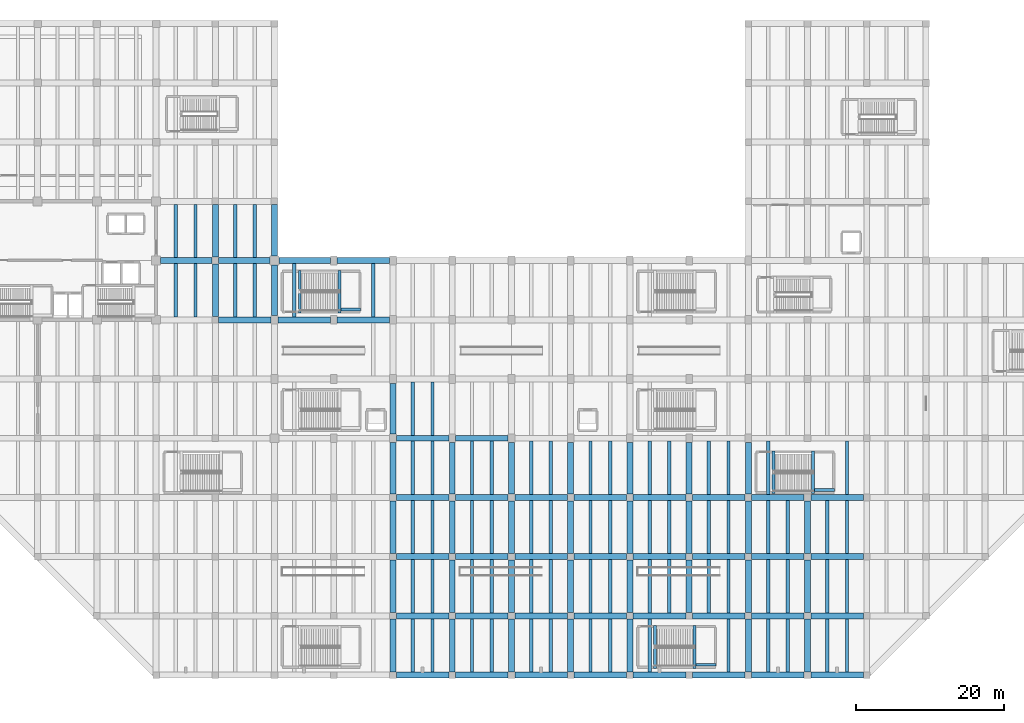
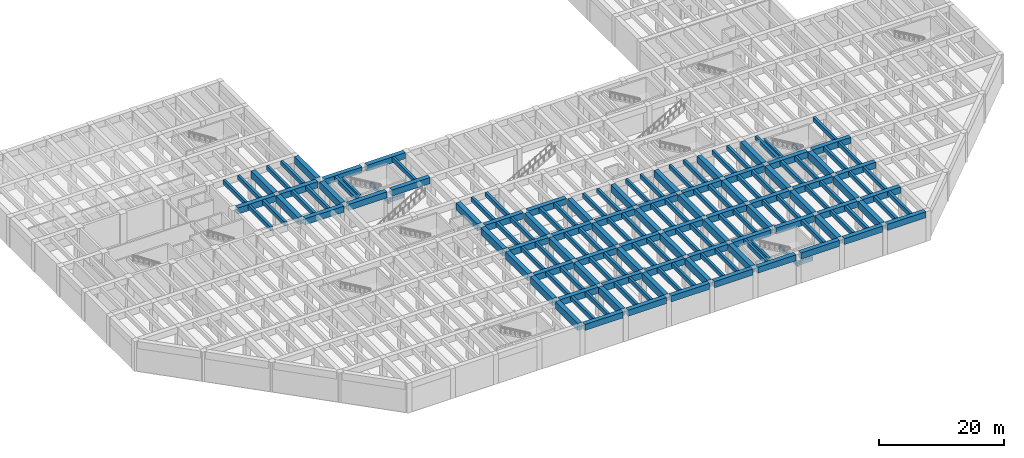
# One storey, part 3 of 24: 157 beams.
"""IFC4 building model written with IfcOpenShell, lengths in metres."""

from ifc_helpers import new_model, si_unit, direction, frame, origin, origin_2d, place, context, subcontext, project, spatial, rectangle, extrude, material, material_profile, profile_set, type_object, element, save


model = new_model("IFC4")

# Units and contexts
model_context = context("Model", 3, precision=1e-05, world=origin(), true_north=direction((0.0, 1.0)))
body_context = subcontext(model_context, "Body", "Model", "MODEL_VIEW")
ifc_project = project(units=[si_unit("LENGTHUNIT", "METRE"), si_unit("AREAUNIT", "SQUARE_METRE"), si_unit("VOLUMEUNIT", "CUBIC_METRE"), si_unit("PLANEANGLEUNIT", "RADIAN"), si_unit("MASSUNIT", "GRAM", prefix="KILO")], contexts=[model_context])

# Site, building, storey
site_placement = place(None, origin())
site = spatial("IfcSite", under=ifc_project, at=site_placement, CompositionType="ELEMENT")
building_placement = place(site_placement, origin())
building = spatial("IfcBuilding", under=site, at=building_placement, Name="Varnela Railside Interchange", CompositionType="ELEMENT")
storey_placement = place(building_placement, frame((0.0, 0.0, -6.300048828125)))
storey = spatial("IfcBuildingStorey", under=building, at=storey_placement, Name="B1", CompositionType="ELEMENT", Elevation=-6.300048828125)

# Beams
ifc_material_1 = material(Name="Concrete C50", Category="concrete")
ifc_material_profile_1 = material_profile(ifc_material_1, rectangle(XDim=0.800048828125, YDim=1.199951171875, at=origin_2d()), Name="RC 800x1200")
ifc_profile_set_1 = profile_set([ifc_material_profile_1], Name="Concrete C50")
beam_type_1 = type_object("IfcBeamType", Name="Bus Deck Heavy Girder B-09", PredefinedType="BEAM", material=ifc_profile_set_1)
for number, where, z_axis, x_axis, name in (
    (1, (68.449951171875, 6.0, 5.25), (1.0, 0.0, 0.0), (0.0, 1.0, 0.0), "Bus Deck Heavy Girder B-09 (B1) (BM-0667)"),
    (2, (76.449951171875, 6.0, 5.25), (1.0, 0.0, 0.0), (0.0, 1.0, 0.0), "Bus Deck Heavy Girder B-09 (B1) (BM-0668)"),
    (3, (84.449951171875, 6.0, 5.25), (1.0, 0.0, 0.0), (0.0, 1.0, 0.0), "Bus Deck Heavy Girder B-09 (B1) (BM-0669)"),
    (4, (92.449951171875, 6.0, 5.25), (1.0, 0.0, 0.0), (0.0, 1.0, 0.0), "Bus Deck Heavy Girder B-09 (B1) (BM-0670)"),
    (5, (100.449951171875, 6.0, 5.25), (1.0, 0.0, 0.0), (0.0, 1.0, 0.0), "Bus Deck Heavy Girder B-09 (B1) (BM-0659)"),
    (6, (108.449951171875, 6.0, 5.25), (1.0, 0.0, 0.0), (0.0, 1.0, 0.0), "Bus Deck Heavy Girder B-09 (B1) (BM-0660)"),
    (7, (116.449951171875, 6.0, 5.25), (1.0, 0.0, 0.0), (0.0, 1.0, 0.0), "Bus Deck Heavy Girder B-09 (B1) (BM-0661)"),
    (8, (124.449951171875, 6.0, 5.25), (1.0, 0.0, 0.0), (0.0, 1.0, 0.0), "Bus Deck Heavy Girder B-09 (B1) (BM-0662)"),
    (9, (68.449951171875, 14.0, 5.25), (1.0, 0.0, 0.0), (0.0, 1.0, 0.0), "Bus Deck Heavy Girder B-09 (B1) (BM-0681)"),
    (10, (76.449951171875, 14.0, 5.25), (1.0, 0.0, 0.0), (0.0, 1.0, 0.0), "Bus Deck Heavy Girder B-09 (B1) (BM-0682)"),
    (11, (84.449951171875, 14.0, 5.25), (1.0, 0.0, 0.0), (0.0, 1.0, 0.0), "Bus Deck Heavy Girder B-09 (B1) (BM-0683)"),
    (12, (92.449951171875, 14.0, 5.25), (1.0, 0.0, 0.0), (0.0, 1.0, 0.0), "Bus Deck Heavy Girder B-09 (B1) (BM-0684)"),
    (13, (100.449951171875, 14.0, 5.25), (1.0, 0.0, 0.0), (0.0, 1.0, 0.0), "Bus Deck Heavy Girder B-09 (B1) (BM-0671)"),
    (14, (108.449951171875, 14.0, 5.25), (1.0, 0.0, 0.0), (0.0, 1.0, 0.0), "Bus Deck Heavy Girder B-09 (B1) (BM-0672)"),
    (15, (116.449951171875, 14.0, 5.25), (1.0, 0.0, 0.0), (0.0, 1.0, 0.0), "Bus Deck Heavy Girder B-09 (B1) (BM-0673)"),
    (16, (124.449951171875, 14.0, 5.25), (1.0, 0.0, 0.0), (0.0, 1.0, 0.0), "Bus Deck Heavy Girder B-09 (B1) (BM-0674)"),
    (17, (68.449951171875, 22.0, 5.25), (1.0, 0.0, 0.0), (0.0, 1.0, 0.0), "Bus Deck Heavy Girder B-09 (B1) (BM-0697)"),
    (18, (76.449951171875, 22.0, 5.25), (1.0, 0.0, 0.0), (0.0, 1.0, 0.0), "Bus Deck Heavy Girder B-09 (B1) (BM-0698)"),
    (19, (84.449951171875, 22.0, 5.25), (1.0, 0.0, 0.0), (0.0, 1.0, 0.0), "Bus Deck Heavy Girder B-09 (B1) (BM-0699)"),
    (20, (92.449951171875, 22.0, 5.25), (1.0, 0.0, 0.0), (0.0, 1.0, 0.0), "Bus Deck Heavy Girder B-09 (B1) (BM-0700)"),
    (21, (100.449951171875, 22.0, 5.25), (1.0, 0.0, 0.0), (0.0, 1.0, 0.0), "Bus Deck Heavy Girder B-09 (B1) (BM-0685)"),
    (22, (108.449951171875, 22.0, 5.25), (1.0, 0.0, 0.0), (0.0, 1.0, 0.0), "Bus Deck Heavy Girder B-09 (B1) (BM-0686)"),
    (23, (116.449951171875, 22.0, 5.25), (1.0, 0.0, 0.0), (0.0, 1.0, 0.0), "Bus Deck Heavy Girder B-09 (B1) (BM-0687)"),
    (24, (124.449951171875, 22.0, 5.25), (1.0, 0.0, 0.0), (0.0, 1.0, 0.0), "Bus Deck Heavy Girder B-09 (B1) (BM-0688)"),
    (25, (68.449951171875, 30.0, 5.25), (1.0, 0.0, 0.0), (0.0, 1.0, 0.0), "Bus Deck Heavy Girder B-09 (B1) (BM-0715)"),
    (26, (76.449951171875, 30.0, 5.25), (1.0, 0.0, 0.0), (0.0, 1.0, 0.0), "Bus Deck Heavy Girder B-09 (B1) (BM-0716)"),
    (27, (84.449951171875, 30.0, 5.25), (1.0, 0.0, 0.0), (0.0, 1.0, 0.0), "Bus Deck Heavy Girder B-09 (B1) (BM-0717)"),
    (28, (92.449951171875, 30.0, 5.25), (1.0, 0.0, 0.0), (0.0, 1.0, 0.0), "Bus Deck Heavy Girder B-09 (B1) (BM-0718)"),
    (29, (100.449951171875, 30.0, 5.25), (1.0, 0.0, 0.0), (0.0, 1.0, 0.0), "Bus Deck Heavy Girder B-09 (B1) (BM-0701)"),
    (30, (108.449951171875, 30.0, 5.25), (1.0, 0.0, 0.0), (0.0, 1.0, 0.0), "Bus Deck Heavy Girder B-09 (B1) (BM-0702)"),
    (31, (116.449951171875, 30.0, 5.25), (1.0, 0.0, 0.0), (0.0, 1.0, 0.0), "Bus Deck Heavy Girder B-09 (B1) (BM-0703)"),
    (32, (124.449951171875, 30.0, 5.25), (1.0, 0.0, 0.0), (0.0, 1.0, 0.0), "Bus Deck Heavy Girder B-09 (B1) (BM-0704)"),
    (33, (68.449951171875, 38.0, 5.25), (1.0, 0.0, 0.0), (0.0, 1.0, 0.0), "Bus Deck Heavy Girder B-09 (B1) (BM-0735)"),
    (34, (76.449951171875, 38.0, 5.25), (1.0, 0.0, 0.0), (0.0, 1.0, 0.0), "Bus Deck Heavy Girder B-09 (B1) (BM-0736)"),
    (35, (44.449951171875, 54.0, 5.25), (1.0, 0.0, 0.0), (0.0, 1.0, 0.0), "Bus Deck Heavy Girder B-09 (B1) (BM-0768)"),
    (36, (52.449951171875, 54.0, 5.25), (1.0, 0.0, 0.0), (0.0, 1.0, 0.0), "Bus Deck Heavy Girder B-09 (B1) (BM-0770)"),
    (37, (60.449951171875, 54.0, 5.25), (1.0, 0.0, 0.0), (0.0, 1.0, 0.0), "Bus Deck Heavy Girder B-09 (B1) (BM-0771)"),
):
    element("IfcBeam", number, at=place(storey_placement, frame(where, z_axis=z_axis, x_axis=x_axis)), inside=storey, type_object=beam_type_1, Name=name, PredefinedType="BEAM", context=body_context, shape_type="SweptSolid", body=[
        extrude(rectangle(XDim=0.800048828125, YDim=1.199951171875, at=origin_2d()), origin(), (0.0, 0.0, 1.0), 7.10009765625),
    ])
for number, where, z_axis, x_axis, name in (
    (38, (36.60009765625, 62.0, 5.25), (1.0, 0.0, 0.0), (0.0, 1.0, 0.0), "Bus Deck Heavy Girder B-09 (B1) (BM-0784)"),
    (39, (44.449951171875, 62.0, 5.25), (1.0, 0.0, 0.0), (0.0, 1.0, 0.0), "Bus Deck Heavy Girder B-09 (B1) (BM-0785)"),
    (40, (52.60009765625, 62.0, 5.25), (1.0, 0.0, 0.0), (0.0, 1.0, 0.0), "Bus Deck Heavy Girder B-09 (B1) (BM-0787)"),
):
    element("IfcBeam", number, at=place(storey_placement, frame(where, z_axis=z_axis, x_axis=x_axis)), inside=storey, type_object=beam_type_1, Name=name, PredefinedType="BEAM", context=body_context, shape_type="SweptSolid", body=[
        extrude(rectangle(XDim=0.800048828125, YDim=1.199951171875, at=origin_2d()), origin(), (0.0, 0.0, 1.0), 6.949951171875),
    ])
beam_1_placement = place(storey_placement, frame((60.449951171875, 62.0, 5.25), z_axis=(1.0, 0.0, 0.0), x_axis=(0.0, 1.0, 0.0)))
element("IfcBeam", 41, at=beam_1_placement, inside=storey, type_object=beam_type_1, Name="Bus Deck Heavy Girder B-09 (B1) (BM-0788)", PredefinedType="BEAM", context=body_context, shape_type="SweptSolid", body=[
    extrude(rectangle(XDim=0.800048828125, YDim=1.199951171875, at=origin_2d()), origin(), (0.0, 0.0, 1.0), 7.10009765625),
])
ifc_material_profile_2 = material_profile(ifc_material_1, rectangle(XDim=0.800048828125, YDim=1.39990234375, at=origin_2d()), Name="RC 800x1400")
ifc_profile_set_2 = profile_set([ifc_material_profile_2], Name="Concrete C50")
beam_type_2 = type_object("IfcBeamType", Name="Bus Deck Portal Girder B-10", PredefinedType="BEAM", material=ifc_profile_set_2)
for number, where, z_axis, x_axis, name in (
    (42, (44.0, 54.449951171875, 5.150146484375), (0.0, 1.0, 0.0), (-1.0, 0.0, 0.0), "Bus Deck Portal Girder B-10 (B1) (BM-0949)"),
    (43, (44.0, 62.449951171875, 5.150146484375), (0.0, 1.0, 0.0), (-1.0, 0.0, 0.0), "Bus Deck Portal Girder B-10 (B1) (BM-0950)"),
):
    element("IfcBeam", number, at=place(storey_placement, frame(where, z_axis=z_axis, x_axis=x_axis)), inside=storey, type_object=beam_type_2, Name=name, PredefinedType="BEAM", context=body_context, shape_type="SweptSolid", body=[
        extrude(rectangle(XDim=0.800048828125, YDim=1.39990234375, at=origin_2d()), origin(), (0.0, 0.0, 1.0), 7.10009765625),
    ])
beam_2_placement = place(storey_placement, frame((52.0, 54.60009765625, 5.150146484375), z_axis=(0.0, 1.0, 0.0), x_axis=(-1.0, 0.0, 0.0)))
element("IfcBeam", 44, at=beam_2_placement, inside=storey, type_object=beam_type_2, Name="Bus Deck Portal Girder B-10 (B1) (BM-0959)", PredefinedType="BEAM", context=body_context, shape_type="SweptSolid", body=[
    extrude(rectangle(XDim=0.800048828125, YDim=1.39990234375, at=origin_2d()), origin(), (0.0, 0.0, 1.0), 6.7998046875),
])
beam_3_placement = place(storey_placement, frame((52.0, 62.60009765625, 5.150146484375), z_axis=(0.0, 1.0, 0.0), x_axis=(-1.0, 0.0, 0.0)))
element("IfcBeam", 45, at=beam_3_placement, inside=storey, type_object=beam_type_2, Name="Bus Deck Portal Girder B-10 (B1) (BM-0960)", PredefinedType="BEAM", context=body_context, shape_type="SweptSolid", body=[
    extrude(rectangle(XDim=0.800048828125, YDim=1.39990234375, at=origin_2d()), origin(), (0.0, 0.0, 1.0), 6.949951171875),
])
for number, where, z_axis, x_axis, name in (
    (46, (68.0, 6.449951171875, 5.150146484375), (0.0, 1.0, 0.0), (-1.0, 0.0, 0.0), "Bus Deck Portal Girder B-10 (B1) (BM-0974)"),
    (47, (68.0, 14.449951171875, 5.150146484375), (0.0, 1.0, 0.0), (-1.0, 0.0, 0.0), "Bus Deck Portal Girder B-10 (B1) (BM-0968)"),
    (48, (68.0, 22.449951171875, 5.150146484375), (0.0, 1.0, 0.0), (-1.0, 0.0, 0.0), "Bus Deck Portal Girder B-10 (B1) (BM-0969)"),
):
    element("IfcBeam", number, at=place(storey_placement, frame(where, z_axis=z_axis, x_axis=x_axis)), inside=storey, type_object=beam_type_2, Name=name, PredefinedType="BEAM", context=body_context, shape_type="SweptSolid", body=[
        extrude(rectangle(XDim=0.800048828125, YDim=1.39990234375, at=origin_2d()), origin(), (0.0, 0.0, 1.0), 7.10009765625),
    ])
beam_4_placement = place(storey_placement, frame((68.0, 30.449951171875, 5.150146484375), z_axis=(0.0, 1.0, 0.0), x_axis=(-1.0, 0.0, 0.0)))
element("IfcBeam", 49, at=beam_4_placement, inside=storey, type_object=beam_type_2, Name="Bus Deck Portal Girder B-10 (B1) (BM-0970)", PredefinedType="BEAM", context=body_context, shape_type="SweptSolid", body=[
    extrude(rectangle(XDim=0.800048828125, YDim=1.39990234375, at=origin_2d()), origin(), (0.0, 0.0, 1.0), 6.949951171875),
])
beam_5_placement = place(storey_placement, frame((68.0, 38.60009765625, 5.150146484375), z_axis=(0.0, 1.0, 0.0), x_axis=(-1.0, 0.0, 0.0)))
element("IfcBeam", 50, at=beam_5_placement, inside=storey, type_object=beam_type_2, Name="Bus Deck Portal Girder B-10 (B1) (BM-0971)", PredefinedType="BEAM", context=body_context, shape_type="SweptSolid", body=[
    extrude(rectangle(XDim=0.800048828125, YDim=1.39990234375, at=origin_2d()), origin(), (0.0, 0.0, 1.0), 6.7998046875),
])
for number, where, z_axis, x_axis, name in (
    (51, (76.0, 6.449951171875, 5.150146484375), (0.0, 1.0, 0.0), (-1.0, 0.0, 0.0), "Bus Deck Portal Girder B-10 (B1) (BM-0832)"),
    (52, (76.0, 14.449951171875, 5.150146484375), (0.0, 1.0, 0.0), (-1.0, 0.0, 0.0), "Bus Deck Portal Girder B-10 (B1) (BM-0826)"),
    (53, (76.0, 22.449951171875, 5.150146484375), (0.0, 1.0, 0.0), (-1.0, 0.0, 0.0), "Bus Deck Portal Girder B-10 (B1) (BM-0827)"),
):
    element("IfcBeam", number, at=place(storey_placement, frame(where, z_axis=z_axis, x_axis=x_axis)), inside=storey, type_object=beam_type_2, Name=name, PredefinedType="BEAM", context=body_context, shape_type="SweptSolid", body=[
        extrude(rectangle(XDim=0.800048828125, YDim=1.39990234375, at=origin_2d()), origin(), (0.0, 0.0, 1.0), 7.10009765625),
    ])
beam_6_placement = place(storey_placement, frame((76.0, 30.449951171875, 5.150146484375), z_axis=(0.0, 1.0, 0.0), x_axis=(-1.0, 0.0, 0.0)))
element("IfcBeam", 54, at=beam_6_placement, inside=storey, type_object=beam_type_2, Name="Bus Deck Portal Girder B-10 (B1) (BM-0828)", PredefinedType="BEAM", context=body_context, shape_type="SweptSolid", body=[
    extrude(rectangle(XDim=0.800048828125, YDim=1.39990234375, at=origin_2d()), origin(), (0.0, 0.0, 1.0), 6.949951171875),
])
for number, where, z_axis, x_axis, name in (
    (55, (84.0, 6.449951171875, 5.150146484375), (0.0, 1.0, 0.0), (-1.0, 0.0, 0.0), "Bus Deck Portal Girder B-10 (B1) (BM-0838)"),
    (56, (84.0, 14.449951171875, 5.150146484375), (0.0, 1.0, 0.0), (-1.0, 0.0, 0.0), "Bus Deck Portal Girder B-10 (B1) (BM-0833)"),
    (57, (84.0, 22.449951171875, 5.150146484375), (0.0, 1.0, 0.0), (-1.0, 0.0, 0.0), "Bus Deck Portal Girder B-10 (B1) (BM-0834)"),
):
    element("IfcBeam", number, at=place(storey_placement, frame(where, z_axis=z_axis, x_axis=x_axis)), inside=storey, type_object=beam_type_2, Name=name, PredefinedType="BEAM", context=body_context, shape_type="SweptSolid", body=[
        extrude(rectangle(XDim=0.800048828125, YDim=1.39990234375, at=origin_2d()), origin(), (0.0, 0.0, 1.0), 7.10009765625),
    ])
beam_7_placement = place(storey_placement, frame((84.0, 30.449951171875, 5.150146484375), z_axis=(0.0, 1.0, 0.0), x_axis=(-1.0, 0.0, 0.0)))
element("IfcBeam", 58, at=beam_7_placement, inside=storey, type_object=beam_type_2, Name="Bus Deck Portal Girder B-10 (B1) (BM-0835)", PredefinedType="BEAM", context=body_context, shape_type="SweptSolid", body=[
    extrude(rectangle(XDim=0.800048828125, YDim=1.39990234375, at=origin_2d()), origin(), (0.0, 0.0, 1.0), 6.949951171875),
])
for number, where, z_axis, x_axis, name in (
    (59, (92.0, 6.449951171875, 5.150146484375), (0.0, 1.0, 0.0), (-1.0, 0.0, 0.0), "Bus Deck Portal Girder B-10 (B1) (BM-0845)"),
    (60, (92.0, 14.449951171875, 5.150146484375), (0.0, 1.0, 0.0), (-1.0, 0.0, 0.0), "Bus Deck Portal Girder B-10 (B1) (BM-0839)"),
    (61, (92.0, 22.449951171875, 5.150146484375), (0.0, 1.0, 0.0), (-1.0, 0.0, 0.0), "Bus Deck Portal Girder B-10 (B1) (BM-0840)"),
):
    element("IfcBeam", number, at=place(storey_placement, frame(where, z_axis=z_axis, x_axis=x_axis)), inside=storey, type_object=beam_type_2, Name=name, PredefinedType="BEAM", context=body_context, shape_type="SweptSolid", body=[
        extrude(rectangle(XDim=0.800048828125, YDim=1.39990234375, at=origin_2d()), origin(), (0.0, 0.0, 1.0), 7.10009765625),
    ])
beam_8_placement = place(storey_placement, frame((92.0, 30.449951171875, 5.150146484375), z_axis=(0.0, 1.0, 0.0), x_axis=(-1.0, 0.0, 0.0)))
element("IfcBeam", 62, at=beam_8_placement, inside=storey, type_object=beam_type_2, Name="Bus Deck Portal Girder B-10 (B1) (BM-0841)", PredefinedType="BEAM", context=body_context, shape_type="SweptSolid", body=[
    extrude(rectangle(XDim=0.800048828125, YDim=1.39990234375, at=origin_2d()), origin(), (0.0, 0.0, 1.0), 6.949951171875),
])
for number, where, z_axis, x_axis, name in (
    (63, (100.0, 6.449951171875, 5.150146484375), (0.0, 1.0, 0.0), (-1.0, 0.0, 0.0), "Bus Deck Portal Girder B-10 (B1) (BM-0852)"),
    (64, (100.0, 14.449951171875, 5.150146484375), (0.0, 1.0, 0.0), (-1.0, 0.0, 0.0), "Bus Deck Portal Girder B-10 (B1) (BM-0846)"),
    (65, (100.0, 22.449951171875, 5.150146484375), (0.0, 1.0, 0.0), (-1.0, 0.0, 0.0), "Bus Deck Portal Girder B-10 (B1) (BM-0847)"),
):
    element("IfcBeam", number, at=place(storey_placement, frame(where, z_axis=z_axis, x_axis=x_axis)), inside=storey, type_object=beam_type_2, Name=name, PredefinedType="BEAM", context=body_context, shape_type="SweptSolid", body=[
        extrude(rectangle(XDim=0.800048828125, YDim=1.39990234375, at=origin_2d()), origin(), (0.0, 0.0, 1.0), 7.10009765625),
    ])
beam_9_placement = place(storey_placement, frame((100.0, 30.449951171875, 5.150146484375), z_axis=(0.0, 1.0, 0.0), x_axis=(-1.0, 0.0, 0.0)))
element("IfcBeam", 66, at=beam_9_placement, inside=storey, type_object=beam_type_2, Name="Bus Deck Portal Girder B-10 (B1) (BM-0848)", PredefinedType="BEAM", context=body_context, shape_type="SweptSolid", body=[
    extrude(rectangle(XDim=0.800048828125, YDim=1.39990234375, at=origin_2d()), origin(), (0.0, 0.0, 1.0), 6.949951171875),
])
for number, where, z_axis, x_axis, name in (
    (67, (108.0, 14.449951171875, 5.150146484375), (0.0, 1.0, 0.0), (-1.0, 0.0, 0.0), "Bus Deck Portal Girder B-10 (B1) (BM-0853)"),
    (68, (108.0, 22.449951171875, 5.150146484375), (0.0, 1.0, 0.0), (-1.0, 0.0, 0.0), "Bus Deck Portal Girder B-10 (B1) (BM-0854)"),
):
    element("IfcBeam", number, at=place(storey_placement, frame(where, z_axis=z_axis, x_axis=x_axis)), inside=storey, type_object=beam_type_2, Name=name, PredefinedType="BEAM", context=body_context, shape_type="SweptSolid", body=[
        extrude(rectangle(XDim=0.800048828125, YDim=1.39990234375, at=origin_2d()), origin(), (0.0, 0.0, 1.0), 7.10009765625),
    ])
beam_10_placement = place(storey_placement, frame((108.0, 30.449951171875, 5.150146484375), z_axis=(0.0, 1.0, 0.0), x_axis=(-1.0, 0.0, 0.0)))
element("IfcBeam", 69, at=beam_10_placement, inside=storey, type_object=beam_type_2, Name="Bus Deck Portal Girder B-10 (B1) (BM-0855)", PredefinedType="BEAM", context=body_context, shape_type="SweptSolid", body=[
    extrude(rectangle(XDim=0.800048828125, YDim=1.39990234375, at=origin_2d()), origin(), (0.0, 0.0, 1.0), 6.949951171875),
])
for number, where, z_axis, x_axis, name in (
    (70, (116.0, 6.449951171875, 5.150146484375), (0.0, 1.0, 0.0), (-1.0, 0.0, 0.0), "Bus Deck Portal Girder B-10 (B1) (BM-0863)"),
    (71, (116.0, 14.449951171875, 5.150146484375), (0.0, 1.0, 0.0), (-1.0, 0.0, 0.0), "Bus Deck Portal Girder B-10 (B1) (BM-0856)"),
    (72, (116.0, 22.449951171875, 5.150146484375), (0.0, 1.0, 0.0), (-1.0, 0.0, 0.0), "Bus Deck Portal Girder B-10 (B1) (BM-0857)"),
):
    element("IfcBeam", number, at=place(storey_placement, frame(where, z_axis=z_axis, x_axis=x_axis)), inside=storey, type_object=beam_type_2, Name=name, PredefinedType="BEAM", context=body_context, shape_type="SweptSolid", body=[
        extrude(rectangle(XDim=0.800048828125, YDim=1.39990234375, at=origin_2d()), origin(), (0.0, 0.0, 1.0), 7.10009765625),
    ])
beam_11_placement = place(storey_placement, frame((116.0, 30.449951171875, 5.150146484375), z_axis=(0.0, 1.0, 0.0), x_axis=(-1.0, 0.0, 0.0)))
element("IfcBeam", 73, at=beam_11_placement, inside=storey, type_object=beam_type_2, Name="Bus Deck Portal Girder B-10 (B1) (BM-0858)", PredefinedType="BEAM", context=body_context, shape_type="SweptSolid", body=[
    extrude(rectangle(XDim=0.800048828125, YDim=1.39990234375, at=origin_2d()), origin(), (0.0, 0.0, 1.0), 6.949951171875),
])
for number, where, z_axis, x_axis, name in (
    (74, (124.0, 6.449951171875, 5.150146484375), (0.0, 1.0, 0.0), (-1.0, 0.0, 0.0), "Bus Deck Portal Girder B-10 (B1) (BM-0872)"),
    (75, (124.0, 14.449951171875, 5.150146484375), (0.0, 1.0, 0.0), (-1.0, 0.0, 0.0), "Bus Deck Portal Girder B-10 (B1) (BM-0867)"),
    (76, (124.0, 22.449951171875, 5.150146484375), (0.0, 1.0, 0.0), (-1.0, 0.0, 0.0), "Bus Deck Portal Girder B-10 (B1) (BM-0868)"),
):
    element("IfcBeam", number, at=place(storey_placement, frame(where, z_axis=z_axis, x_axis=x_axis)), inside=storey, type_object=beam_type_2, Name=name, PredefinedType="BEAM", context=body_context, shape_type="SweptSolid", body=[
        extrude(rectangle(XDim=0.800048828125, YDim=1.39990234375, at=origin_2d()), origin(), (0.0, 0.0, 1.0), 7.10009765625),
    ])
ifc_material_2 = material(Name="Concrete C40", Category="concrete")
ifc_material_profile_3 = material_profile(ifc_material_2, rectangle(XDim=0.449951171875, YDim=0.800048828125, at=origin_2d()), Name="RC 450x800")
ifc_profile_set_3 = profile_set([ifc_material_profile_3], Name="Concrete C40")
beam_type_3 = type_object("IfcBeamType", Name="Concrete Secondary Beam B-02", PredefinedType="BEAM", material=ifc_profile_set_3)
for number, where, z_axis, x_axis, name in (
    (77, (38.669921875, 54.39990234375, 5.449951171875), (0.0, 1.0, 0.0), (-1.0, 0.0, 0.0), "Concrete Secondary Beam B-02 (B1) (BM-0588)"),
    (78, (41.330078125, 54.39990234375, 5.449951171875), (0.0, 1.0, 0.0), (-1.0, 0.0, 0.0), "Concrete Secondary Beam B-02 (B1) (BM-0589)"),
    (79, (38.669921875, 62.39990234375, 5.449951171875), (0.0, 1.0, 0.0), (-1.0, 0.0, 0.0), "Concrete Secondary Beam B-02 (B1) (BM-0590)"),
    (80, (41.330078125, 62.39990234375, 5.449951171875), (0.0, 1.0, 0.0), (-1.0, 0.0, 0.0), "Concrete Secondary Beam B-02 (B1) (BM-0591)"),
    (81, (46.669921875, 54.39990234375, 5.449951171875), (0.0, 1.0, 0.0), (-1.0, 0.0, 0.0), "Concrete Secondary Beam B-02 (B1) (BM-0608)"),
    (82, (49.330078125, 54.39990234375, 5.449951171875), (0.0, 1.0, 0.0), (-1.0, 0.0, 0.0), "Concrete Secondary Beam B-02 (B1) (BM-0609)"),
    (83, (46.669921875, 62.39990234375, 5.449951171875), (0.0, 1.0, 0.0), (-1.0, 0.0, 0.0), "Concrete Secondary Beam B-02 (B1) (BM-0610)"),
    (84, (49.330078125, 62.39990234375, 5.449951171875), (0.0, 1.0, 0.0), (-1.0, 0.0, 0.0), "Concrete Secondary Beam B-02 (B1) (BM-0611)"),
    (85, (54.669921875, 54.39990234375, 5.449951171875), (0.0, 1.0, 0.0), (-1.0, 0.0, 0.0), "Concrete Secondary Beam B-02 (B1) (BM-0623)"),
    (86, (65.330078125, 54.39990234375, 5.449951171875), (0.0, 1.0, 0.0), (-1.0, 0.0, 0.0), "Concrete Secondary Beam B-02 (B1) (BM-0632)"),
    (87, (70.669921875, 6.39990234375, 5.449951171875), (0.0, 1.0, 0.0), (-1.0, 0.0, 0.0), "Concrete Secondary Beam B-02 (B1) (BM-0633)"),
    (88, (73.330078125, 6.39990234375, 5.449951171875), (0.0, 1.0, 0.0), (-1.0, 0.0, 0.0), "Concrete Secondary Beam B-02 (B1) (BM-0634)"),
    (89, (70.669921875, 14.39990234375, 5.449951171875), (0.0, 1.0, 0.0), (-1.0, 0.0, 0.0), "Concrete Secondary Beam B-02 (B1) (BM-0635)"),
    (90, (73.330078125, 14.39990234375, 5.449951171875), (0.0, 1.0, 0.0), (-1.0, 0.0, 0.0), "Concrete Secondary Beam B-02 (B1) (BM-0636)"),
    (91, (70.669921875, 22.39990234375, 5.449951171875), (0.0, 1.0, 0.0), (-1.0, 0.0, 0.0), "Concrete Secondary Beam B-02 (B1) (BM-0637)"),
    (92, (73.330078125, 22.39990234375, 5.449951171875), (0.0, 1.0, 0.0), (-1.0, 0.0, 0.0), "Concrete Secondary Beam B-02 (B1) (BM-0638)"),
    (93, (70.669921875, 30.39990234375, 5.449951171875), (0.0, 1.0, 0.0), (-1.0, 0.0, 0.0), "Concrete Secondary Beam B-02 (B1) (BM-0639)"),
    (94, (73.330078125, 30.39990234375, 5.449951171875), (0.0, 1.0, 0.0), (-1.0, 0.0, 0.0), "Concrete Secondary Beam B-02 (B1) (BM-0640)"),
    (95, (70.669921875, 38.39990234375, 5.449951171875), (0.0, 1.0, 0.0), (-1.0, 0.0, 0.0), "Concrete Secondary Beam B-02 (B1) (BM-0641)"),
    (96, (73.330078125, 38.39990234375, 5.449951171875), (0.0, 1.0, 0.0), (-1.0, 0.0, 0.0), "Concrete Secondary Beam B-02 (B1) (BM-0642)"),
    (97, (78.669921875, 6.39990234375, 5.449951171875), (0.0, 1.0, 0.0), (-1.0, 0.0, 0.0), "Concrete Secondary Beam B-02 (B1) (BM-0647)"),
    (98, (81.330078125, 6.39990234375, 5.449951171875), (0.0, 1.0, 0.0), (-1.0, 0.0, 0.0), "Concrete Secondary Beam B-02 (B1) (BM-0648)"),
    (99, (78.669921875, 14.39990234375, 5.449951171875), (0.0, 1.0, 0.0), (-1.0, 0.0, 0.0), "Concrete Secondary Beam B-02 (B1) (BM-0649)"),
    (100, (81.330078125, 14.39990234375, 5.449951171875), (0.0, 1.0, 0.0), (-1.0, 0.0, 0.0), "Concrete Secondary Beam B-02 (B1) (BM-0650)"),
    (101, (78.669921875, 22.39990234375, 5.449951171875), (0.0, 1.0, 0.0), (-1.0, 0.0, 0.0), "Concrete Secondary Beam B-02 (B1) (BM-0651)"),
    (102, (81.330078125, 22.39990234375, 5.449951171875), (0.0, 1.0, 0.0), (-1.0, 0.0, 0.0), "Concrete Secondary Beam B-02 (B1) (BM-0652)"),
    (103, (78.669921875, 30.39990234375, 5.449951171875), (0.0, 1.0, 0.0), (-1.0, 0.0, 0.0), "Concrete Secondary Beam B-02 (B1) (BM-0653)"),
    (104, (81.330078125, 30.39990234375, 5.449951171875), (0.0, 1.0, 0.0), (-1.0, 0.0, 0.0), "Concrete Secondary Beam B-02 (B1) (BM-0654)"),
    (105, (86.669921875, 6.39990234375, 5.449951171875), (0.0, 1.0, 0.0), (-1.0, 0.0, 0.0), "Concrete Secondary Beam B-02 (B1) (BM-0409)"),
    (106, (89.330078125, 6.39990234375, 5.449951171875), (0.0, 1.0, 0.0), (-1.0, 0.0, 0.0), "Concrete Secondary Beam B-02 (B1) (BM-0410)"),
    (107, (86.669921875, 14.39990234375, 5.449951171875), (0.0, 1.0, 0.0), (-1.0, 0.0, 0.0), "Concrete Secondary Beam B-02 (B1) (BM-0411)"),
    (108, (89.330078125, 14.39990234375, 5.449951171875), (0.0, 1.0, 0.0), (-1.0, 0.0, 0.0), "Concrete Secondary Beam B-02 (B1) (BM-0412)"),
    (109, (86.669921875, 22.39990234375, 5.449951171875), (0.0, 1.0, 0.0), (-1.0, 0.0, 0.0), "Concrete Secondary Beam B-02 (B1) (BM-0413)"),
    (110, (89.330078125, 22.39990234375, 5.449951171875), (0.0, 1.0, 0.0), (-1.0, 0.0, 0.0), "Concrete Secondary Beam B-02 (B1) (BM-0414)"),
    (111, (86.669921875, 30.39990234375, 5.449951171875), (0.0, 1.0, 0.0), (-1.0, 0.0, 0.0), "Concrete Secondary Beam B-02 (B1) (BM-0415)"),
    (112, (89.330078125, 30.39990234375, 5.449951171875), (0.0, 1.0, 0.0), (-1.0, 0.0, 0.0), "Concrete Secondary Beam B-02 (B1) (BM-0416)"),
    (113, (94.669921875, 6.39990234375, 5.449951171875), (0.0, 1.0, 0.0), (-1.0, 0.0, 0.0), "Concrete Secondary Beam B-02 (B1) (BM-0422)"),
    (114, (97.330078125, 6.39990234375, 5.449951171875), (0.0, 1.0, 0.0), (-1.0, 0.0, 0.0), "Concrete Secondary Beam B-02 (B1) (BM-0423)"),
    (115, (94.669921875, 14.39990234375, 5.449951171875), (0.0, 1.0, 0.0), (-1.0, 0.0, 0.0), "Concrete Secondary Beam B-02 (B1) (BM-0424)"),
    (116, (97.330078125, 14.39990234375, 5.449951171875), (0.0, 1.0, 0.0), (-1.0, 0.0, 0.0), "Concrete Secondary Beam B-02 (B1) (BM-0425)"),
    (117, (94.669921875, 22.39990234375, 5.449951171875), (0.0, 1.0, 0.0), (-1.0, 0.0, 0.0), "Concrete Secondary Beam B-02 (B1) (BM-0426)"),
    (118, (97.330078125, 22.39990234375, 5.449951171875), (0.0, 1.0, 0.0), (-1.0, 0.0, 0.0), "Concrete Secondary Beam B-02 (B1) (BM-0427)"),
    (119, (94.669921875, 30.39990234375, 5.449951171875), (0.0, 1.0, 0.0), (-1.0, 0.0, 0.0), "Concrete Secondary Beam B-02 (B1) (BM-0428)"),
    (120, (97.330078125, 30.39990234375, 5.449951171875), (0.0, 1.0, 0.0), (-1.0, 0.0, 0.0), "Concrete Secondary Beam B-02 (B1) (BM-0429)"),
    (121, (102.669921875, 6.39990234375, 5.449951171875), (0.0, 1.0, 0.0), (-1.0, 0.0, 0.0), "Concrete Secondary Beam B-02 (B1) (BM-0435)"),
    (122, (102.669921875, 14.39990234375, 5.449951171875), (0.0, 1.0, 0.0), (-1.0, 0.0, 0.0), "Concrete Secondary Beam B-02 (B1) (BM-0436)"),
    (123, (105.330078125, 14.39990234375, 5.449951171875), (0.0, 1.0, 0.0), (-1.0, 0.0, 0.0), "Concrete Secondary Beam B-02 (B1) (BM-0437)"),
    (124, (102.669921875, 22.39990234375, 5.449951171875), (0.0, 1.0, 0.0), (-1.0, 0.0, 0.0), "Concrete Secondary Beam B-02 (B1) (BM-0438)"),
    (125, (105.330078125, 22.39990234375, 5.449951171875), (0.0, 1.0, 0.0), (-1.0, 0.0, 0.0), "Concrete Secondary Beam B-02 (B1) (BM-0439)"),
    (126, (102.669921875, 30.39990234375, 5.449951171875), (0.0, 1.0, 0.0), (-1.0, 0.0, 0.0), "Concrete Secondary Beam B-02 (B1) (BM-0440)"),
    (127, (105.330078125, 30.39990234375, 5.449951171875), (0.0, 1.0, 0.0), (-1.0, 0.0, 0.0), "Concrete Secondary Beam B-02 (B1) (BM-0441)"),
    (128, (113.330078125, 6.39990234375, 5.449951171875), (0.0, 1.0, 0.0), (-1.0, 0.0, 0.0), "Concrete Secondary Beam B-02 (B1) (BM-0444)"),
    (129, (110.669921875, 14.39990234375, 5.449951171875), (0.0, 1.0, 0.0), (-1.0, 0.0, 0.0), "Concrete Secondary Beam B-02 (B1) (BM-0445)"),
    (130, (113.330078125, 14.39990234375, 5.449951171875), (0.0, 1.0, 0.0), (-1.0, 0.0, 0.0), "Concrete Secondary Beam B-02 (B1) (BM-0446)"),
    (131, (110.669921875, 22.39990234375, 5.449951171875), (0.0, 1.0, 0.0), (-1.0, 0.0, 0.0), "Concrete Secondary Beam B-02 (B1) (BM-0447)"),
    (132, (113.330078125, 22.39990234375, 5.449951171875), (0.0, 1.0, 0.0), (-1.0, 0.0, 0.0), "Concrete Secondary Beam B-02 (B1) (BM-0448)"),
    (133, (110.669921875, 30.39990234375, 5.449951171875), (0.0, 1.0, 0.0), (-1.0, 0.0, 0.0), "Concrete Secondary Beam B-02 (B1) (BM-0449)"),
    (134, (113.330078125, 30.39990234375, 5.449951171875), (0.0, 1.0, 0.0), (-1.0, 0.0, 0.0), "Concrete Secondary Beam B-02 (B1) (BM-0450)"),
    (135, (118.669921875, 6.39990234375, 5.449951171875), (0.0, 1.0, 0.0), (-1.0, 0.0, 0.0), "Concrete Secondary Beam B-02 (B1) (BM-0454)"),
    (136, (121.330078125, 6.39990234375, 5.449951171875), (0.0, 1.0, 0.0), (-1.0, 0.0, 0.0), "Concrete Secondary Beam B-02 (B1) (BM-0455)"),
    (137, (118.669921875, 14.39990234375, 5.449951171875), (0.0, 1.0, 0.0), (-1.0, 0.0, 0.0), "Concrete Secondary Beam B-02 (B1) (BM-0458)"),
    (138, (121.330078125, 14.39990234375, 5.449951171875), (0.0, 1.0, 0.0), (-1.0, 0.0, 0.0), "Concrete Secondary Beam B-02 (B1) (BM-0459)"),
    (139, (118.669921875, 22.39990234375, 5.449951171875), (0.0, 1.0, 0.0), (-1.0, 0.0, 0.0), "Concrete Secondary Beam B-02 (B1) (BM-0460)"),
    (140, (121.330078125, 22.39990234375, 5.449951171875), (0.0, 1.0, 0.0), (-1.0, 0.0, 0.0), "Concrete Secondary Beam B-02 (B1) (BM-0461)"),
    (141, (118.669921875, 30.39990234375, 5.449951171875), (0.0, 1.0, 0.0), (-1.0, 0.0, 0.0), "Concrete Secondary Beam B-02 (B1) (BM-0462)"),
    (142, (126.669921875, 6.39990234375, 5.449951171875), (0.0, 1.0, 0.0), (-1.0, 0.0, 0.0), "Concrete Secondary Beam B-02 (B1) (BM-0474)"),
    (143, (129.330078125, 6.39990234375, 5.449951171875), (0.0, 1.0, 0.0), (-1.0, 0.0, 0.0), "Concrete Secondary Beam B-02 (B1) (BM-0475)"),
    (144, (126.669921875, 14.39990234375, 5.449951171875), (0.0, 1.0, 0.0), (-1.0, 0.0, 0.0), "Concrete Secondary Beam B-02 (B1) (BM-0478)"),
    (145, (129.330078125, 14.39990234375, 5.449951171875), (0.0, 1.0, 0.0), (-1.0, 0.0, 0.0), "Concrete Secondary Beam B-02 (B1) (BM-0479)"),
    (146, (126.669921875, 22.39990234375, 5.449951171875), (0.0, 1.0, 0.0), (-1.0, 0.0, 0.0), "Concrete Secondary Beam B-02 (B1) (BM-0480)"),
    (147, (129.330078125, 22.39990234375, 5.449951171875), (0.0, 1.0, 0.0), (-1.0, 0.0, 0.0), "Concrete Secondary Beam B-02 (B1) (BM-0481)"),
    (148, (129.330078125, 30.39990234375, 5.449951171875), (0.0, 1.0, 0.0), (-1.0, 0.0, 0.0), "Concrete Secondary Beam B-02 (B1) (BM-0482)"),
):
    element("IfcBeam", number, at=place(storey_placement, frame(where, z_axis=z_axis, x_axis=x_axis)), inside=storey, type_object=beam_type_3, Name=name, PredefinedType="BEAM", context=body_context, shape_type="SweptSolid", body=[
        extrude(rectangle(XDim=0.449951171875, YDim=0.800048828125, at=origin_2d()), origin(), (0.0, 0.0, 1.0), 7.2001953125),
    ])
ifc_material_profile_4 = material_profile(ifc_material_2, rectangle(XDim=0.39990234375, YDim=0.699951171875, at=origin_2d()), Name="RC 400x700")
ifc_profile_set_4 = profile_set([ifc_material_profile_4], Name="Concrete C40")
beam_type_4 = type_object("IfcBeamType", Name="Concrete Tie Beam B-01", PredefinedType="BEAM", material=ifc_profile_set_4)
for number, where, z_axis, x_axis, name in (
    (149, (55.39990234375, 54.919921875, 5.5), (0.0, 1.0, 0.0), (-1.0, 0.0, 0.0), "Concrete Tie Beam B-01 (B1) (BM-1013)"),
    (150, (60.7548828125, 54.919921875, 2.64013671875), (0.0, 1.0, 0.0), (-1.0, 0.0, 0.0), "Concrete Tie Beam B-01 (B1) (BM-0999)"),
):
    element("IfcBeam", number, at=place(storey_placement, frame(where, z_axis=z_axis, x_axis=x_axis)), inside=storey, type_object=beam_type_4, Name=name, PredefinedType="BEAM", context=body_context, shape_type="SweptSolid", body=[
        extrude(rectangle(XDim=0.39990234375, YDim=0.699951171875, at=origin_2d()), origin(), (0.0, 0.0, 1.0), 5.760009765625),
    ])
beam_12_placement = place(storey_placement, frame((60.955078125, 55.39990234375, 2.64013671875), z_axis=(1.0, 0.0, 0.0), x_axis=(0.0, 1.0, 0.0)))
element("IfcBeam", 151, at=beam_12_placement, inside=storey, type_object=beam_type_4, Name="Concrete Tie Beam B-01 (B1) (BM-0985)", PredefinedType="BEAM", context=body_context, shape_type="SweptSolid", body=[
    extrude(rectangle(XDim=0.39990234375, YDim=0.699951171875, at=origin_2d()), origin(), (0.0, 0.0, 1.0), 2.6650390625),
])
for number, where, z_axis, x_axis, name in (
    (152, (119.39990234375, 30.52001953125, 5.5), (0.0, 1.0, 0.0), (-1.0, 0.0, 0.0), "Concrete Tie Beam B-01 (B1) (BM-1019)"),
    (153, (124.7548828125, 30.52001953125, 2.64013671875), (0.0, 1.0, 0.0), (-1.0, 0.0, 0.0), "Concrete Tie Beam B-01 (B1) (BM-1005)"),
):
    element("IfcBeam", number, at=place(storey_placement, frame(where, z_axis=z_axis, x_axis=x_axis)), inside=storey, type_object=beam_type_4, Name=name, PredefinedType="BEAM", context=body_context, shape_type="SweptSolid", body=[
        extrude(rectangle(XDim=0.39990234375, YDim=0.699951171875, at=origin_2d()), origin(), (0.0, 0.0, 1.0), 5.760009765625),
    ])
beam_13_placement = place(storey_placement, frame((124.955078125, 31.0, 2.64013671875), z_axis=(1.0, 0.0, 0.0), x_axis=(0.0, 1.0, 0.0)))
element("IfcBeam", 154, at=beam_13_placement, inside=storey, type_object=beam_type_4, Name="Concrete Tie Beam B-01 (B1) (BM-0991)", PredefinedType="BEAM", context=body_context, shape_type="SweptSolid", body=[
    extrude(rectangle(XDim=0.39990234375, YDim=0.699951171875, at=origin_2d()), origin(), (0.0, 0.0, 1.0), 2.6650390625),
])
for number, where, z_axis, x_axis, name in (
    (155, (103.39990234375, 6.919921875, 5.5), (0.0, 1.0, 0.0), (-1.0, 0.0, 0.0), "Concrete Tie Beam B-01 (B1) (BM-1021)"),
    (156, (108.7548828125, 6.919921875, 2.64013671875), (0.0, 1.0, 0.0), (-1.0, 0.0, 0.0), "Concrete Tie Beam B-01 (B1) (BM-1007)"),
):
    element("IfcBeam", number, at=place(storey_placement, frame(where, z_axis=z_axis, x_axis=x_axis)), inside=storey, type_object=beam_type_4, Name=name, PredefinedType="BEAM", context=body_context, shape_type="SweptSolid", body=[
        extrude(rectangle(XDim=0.39990234375, YDim=0.699951171875, at=origin_2d()), origin(), (0.0, 0.0, 1.0), 5.760009765625),
    ])
beam_14_placement = place(storey_placement, frame((108.955078125, 7.39990234375, 2.64013671875), z_axis=(1.0, 0.0, 0.0), x_axis=(0.0, 1.0, 0.0)))
element("IfcBeam", 157, at=beam_14_placement, inside=storey, type_object=beam_type_4, Name="Concrete Tie Beam B-01 (B1) (BM-0993)", PredefinedType="BEAM", context=body_context, shape_type="SweptSolid", body=[
    extrude(rectangle(XDim=0.39990234375, YDim=0.699951171875, at=origin_2d()), origin(), (0.0, 0.0, 1.0), 2.6650390625),
])

save(model, "model.ifc")
